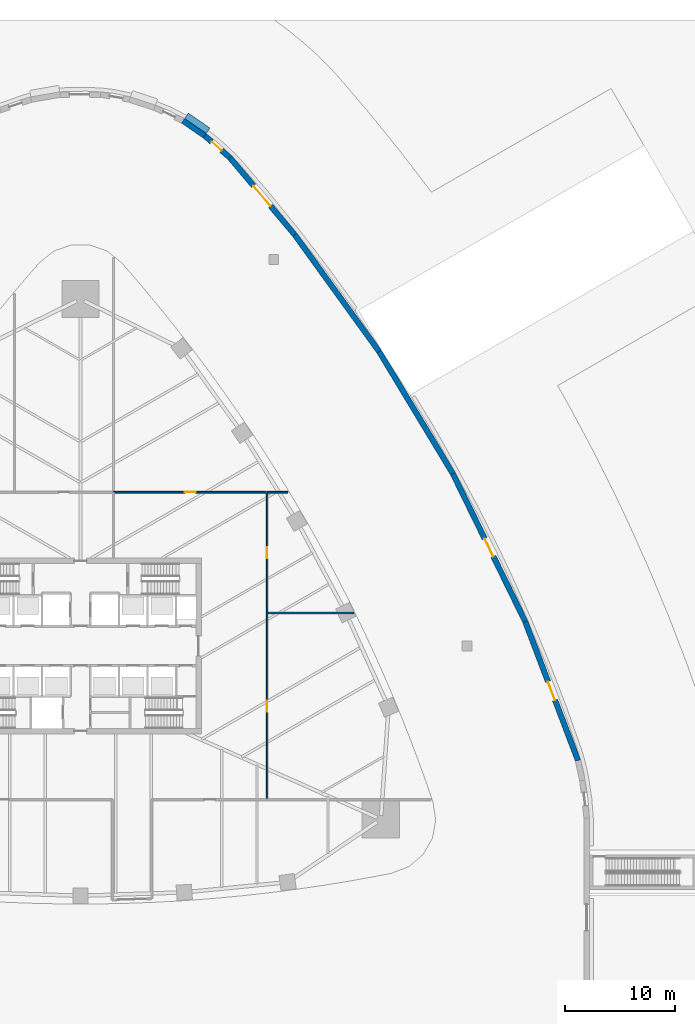
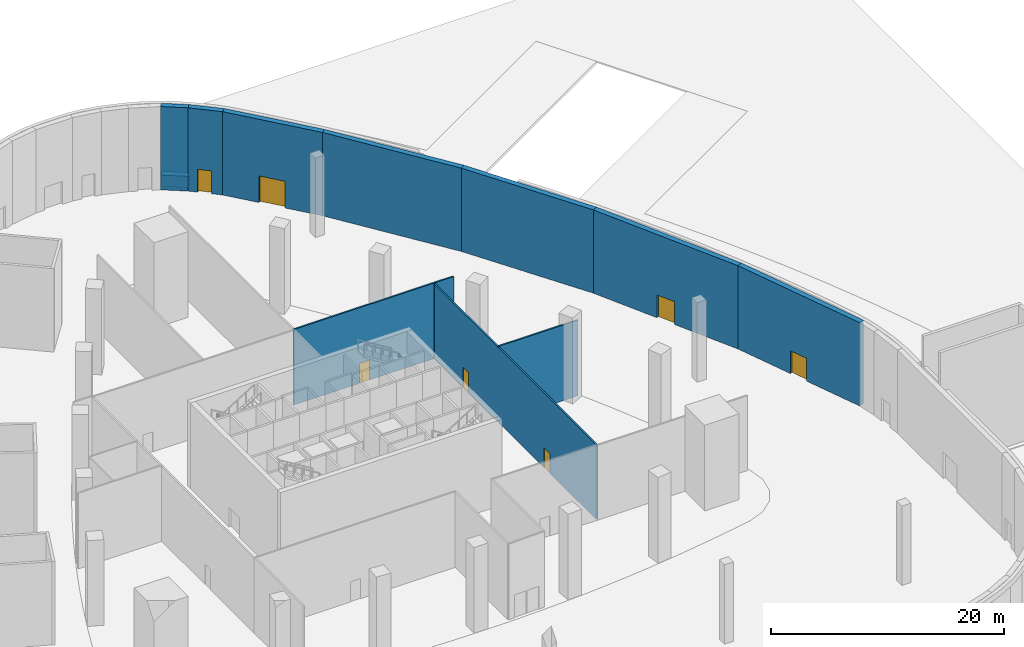
# One storey, part 14 of 29: 12 walls, 7 doors, 7 openings.
"""IFC4 building model written with IfcOpenShell, lengths in metres."""

from ifc_helpers import new_model, si_unit, direction, frame, frame_2d, origin, place, context, subcontext, project, spatial, rectangle, extrude, material, layer, layer_set, type_object, element, fill, save


model = new_model("IFC4")

# Units and contexts
model_context = context("Model", 3, precision=1e-05, world=origin(), true_north=direction((0.0, 1.0)))
body_context = subcontext(model_context, "Body", "Model", "MODEL_VIEW")
ifc_project = project(units=[si_unit("LENGTHUNIT", "METRE"), si_unit("AREAUNIT", "SQUARE_METRE"), si_unit("VOLUMEUNIT", "CUBIC_METRE"), si_unit("PLANEANGLEUNIT", "RADIAN"), si_unit("MASSUNIT", "GRAM", prefix="KILO")], contexts=[model_context])

# Site, building, storey
site_placement = place(None, origin())
site = spatial("IfcSite", under=ifc_project, at=site_placement, CompositionType="ELEMENT")
building_placement = place(site_placement, origin())
building = spatial("IfcBuilding", under=site, at=building_placement, Name="Sierra Prisma Convention Tower", CompositionType="ELEMENT")
storey_placement = place(building_placement, origin())
storey = spatial("IfcBuildingStorey", under=building, at=storey_placement, Name="L00", CompositionType="ELEMENT", Elevation=0.0)

# Wall, opening, door
ifc_material_1 = material(Name="Gypsum board partition", Category="gypsum")
ifc_layer_1 = layer(ifc_material_1, 0.14990234375)
ifc_layer_set_1 = layer_set([ifc_layer_1], Name="Corridor wall 150 gypsum EI 60")
wall_type_1 = type_object("IfcWallType", Name="Corridor wall 150 gypsum EI 60", PredefinedType="PARTITIONING", material=ifc_layer_set_1)
wall_1_placement = place(storey_placement, frame((16.919921875, 14.0, 0.0), z_axis=(0.0, 0.0, 1.0), x_axis=(-1.0, 0.0, 0.0)))
wall_1 = element("IfcWall", 1, at=wall_1_placement, inside=storey, type_object=wall_type_1, Name="Partition L00 corr 7", PredefinedType="PARTITIONING", context=body_context, shape_type="SweptSolid", body=[
    extrude(rectangle(XDim=13.9189453125, YDim=0.14990234375, at=frame_2d((6.95947265625, 0.0))), origin(), (0.0, 0.0, 1.0), 7.93994140625),
])
opening_1_placement = place(wall_1_placement, frame((6.409423828125, 0.0, 0.0)))
opening_1 = element("IfcOpeningElement", 2, at=opening_1_placement, cuts=wall_1, Name="Opening L00-D027", PredefinedType="OPENING", context=body_context, shape_type="SweptSolid", body=[
    extrude(rectangle(XDim=1.0, YDim=2.10009765625, at=frame_2d((0.5, 1.050048828125))), frame((0.0, 0.074951171875, 0.0), z_axis=(0.0, -1.0, 0.0), x_axis=(1.0, 0.0, 0.0)), (0.0, 0.0, 1.0), 0.14990234375),
])
ifc_material_2 = material(Name="Steel fire door leaf", Category="steel")
door_type_1 = type_object("IfcDoorType", Name="Door 1000x2100 FD30S", OperationType="SINGLE_SWING_LEFT", PredefinedType="DOOR", material=ifc_material_2)
door_1_placement = place(opening_1_placement, origin())
door_1 = element("IfcDoor", 3, at=door_1_placement, inside=storey, type_object=door_type_1, Name="Door L00 2", OperationType="SINGLE_SWING_LEFT", OverallHeight=2.10009765625, OverallWidth=1.0, PredefinedType="DOOR", context=body_context, shape_type="SweptSolid", body=[
    extrude(rectangle(XDim=1.0, YDim=2.10009765625, at=frame_2d((0.5, 1.050048828125))), frame((0.0, 0.02490234375, 0.0), z_axis=(0.0, -1.0, 0.0), x_axis=(1.0, 0.0, 0.0)), (0.0, 0.0, 1.0), 0.050048828125),
])
fill(opening_1, door_1)

# Wall, openings, doors
wall_2_placement = place(storey_placement, frame((17.0, -13.919921875, 0.0), z_axis=(0.0, 0.0, 1.0), x_axis=(0.0, 1.0, 0.0)))
wall_2 = element("IfcWall", 4, at=wall_2_placement, inside=storey, type_object=wall_type_1, Name="Partition L00 corr 10", PredefinedType="PARTITIONING", context=body_context, shape_type="SweptSolid", body=[
    extrude(rectangle(XDim=27.83984375, YDim=0.14990234375, at=frame_2d((13.919921875, 0.0))), origin(), (0.0, 0.0, 1.0), 7.846923828125),
])
opening_2_placement = place(wall_2_placement, frame((21.919921875, 0.0, 0.0)))
opening_2 = element("IfcOpeningElement", 5, at=opening_2_placement, cuts=wall_2, Name="Opening L00-D026", PredefinedType="OPENING", context=body_context, shape_type="SweptSolid", body=[
    extrude(rectangle(XDim=1.0, YDim=2.10009765625, at=frame_2d((0.5, 1.050048828125))), frame((0.0, 0.074951171875, 0.0), z_axis=(0.0, -1.0, 0.0), x_axis=(1.0, 0.0, 0.0)), (0.0, 0.0, 1.0), 0.14990234375),
])
opening_3_placement = place(wall_2_placement, frame((7.919921875, 0.0, 0.0)))
opening_3 = element("IfcOpeningElement", 6, at=opening_3_placement, cuts=wall_2, Name="Opening L00-D035", PredefinedType="OPENING", context=body_context, shape_type="SweptSolid", body=[
    extrude(rectangle(XDim=1.0, YDim=2.10009765625, at=frame_2d((0.5, 1.050048828125))), frame((0.0, 0.074951171875, 0.0), z_axis=(0.0, -1.0, 0.0), x_axis=(1.0, 0.0, 0.0)), (0.0, 0.0, 1.0), 0.14990234375),
])
door_2_placement = place(opening_2_placement, origin())
door_2 = element("IfcDoor", 7, at=door_2_placement, inside=storey, type_object=door_type_1, Name="Door L00 1", OperationType="SINGLE_SWING_RIGHT", OverallHeight=2.10009765625, OverallWidth=1.0, PredefinedType="DOOR", context=body_context, shape_type="SweptSolid", body=[
    extrude(rectangle(XDim=1.0, YDim=2.10009765625, at=frame_2d((0.5, 1.050048828125))), frame((0.0, 0.02490234375, 0.0), z_axis=(0.0, -1.0, 0.0), x_axis=(1.0, 0.0, 0.0)), (0.0, 0.0, 1.0), 0.050048828125),
])
fill(opening_2, door_2)
door_3_placement = place(opening_3_placement, origin())
door_3 = element("IfcDoor", 8, at=door_3_placement, inside=storey, type_object=door_type_1, Name="Door L00 10", OperationType="SINGLE_SWING_RIGHT", OverallHeight=2.10009765625, OverallWidth=1.0, PredefinedType="DOOR", context=body_context, shape_type="SweptSolid", body=[
    extrude(rectangle(XDim=1.0, YDim=2.10009765625, at=frame_2d((0.5, 1.050048828125))), frame((0.0, 0.02490234375, 0.0), z_axis=(0.0, -1.0, 0.0), x_axis=(1.0, 0.0, 0.0)), (0.0, 0.0, 1.0), 0.050048828125),
])
fill(opening_3, door_3)

# Wall, opening, door
ifc_material_3 = material(Name="Concrete C40/50, ochre plaster finish", Category="concrete")
ifc_layer_2 = layer(ifc_material_3, 0.5)
ifc_layer_set_2 = layer_set([ifc_layer_2], Name="Ochre plastered wall 500")
wall_type_2 = type_object("IfcWallType", Name="Ochre plastered wall 500", PredefinedType="STANDARD", material=ifc_layer_set_2)
wall_3_placement = place(storey_placement, frame((33.907958984375, 15.697509765625, 0.0), z_axis=(0.0, 0.0, 1.0), x_axis=(0.439457892001, -0.898263191474, 0.0)))
wall_3 = element("IfcWall", 9, at=wall_3_placement, inside=storey, type_object=wall_type_2, Name="Plinth wall 26", PredefinedType="STANDARD", context=body_context, shape_type="SweptSolid", body=[
    extrude(rectangle(XDim=15.003662109375, YDim=0.5, at=frame_2d((7.501953125, 0.0))), origin(), (0.0, 0.0, 1.0), 8.75),
])
opening_4_placement = place(wall_3_placement, frame((6.60009765625, 0.0, 0.0)))
opening_4 = element("IfcOpeningElement", 10, at=opening_4_placement, cuts=wall_3, Name="Opening L00-D051", PredefinedType="OPENING", context=body_context, shape_type="SweptSolid", body=[
    extrude(rectangle(XDim=1.800048828125, YDim=2.39990234375, at=frame_2d((0.89990234375, 1.199951171875))), frame((0.0, 0.25, 0.0), z_axis=(0.0, -1.0, 0.0), x_axis=(1.0, 0.0, 0.0)), (0.0, 0.0, 1.0), 0.5),
])
ifc_material_4 = material(Name="Painted steel, fire resisting", Category="steel")
door_type_2 = type_object("IfcDoorType", Name="Exit door double 1800 x 2400", OperationType="DOUBLE_DOOR_SINGLE_SWING", PredefinedType="DOOR", material=ifc_material_4)
door_4_placement = place(opening_4_placement, origin())
door_4 = element("IfcDoor", 11, at=door_4_placement, inside=storey, type_object=door_type_2, Name="Pedestrian exit door", OperationType="DOUBLE_DOOR_SINGLE_SWING", OverallHeight=2.39990234375, OverallWidth=1.800048828125, PredefinedType="DOOR", context=body_context, shape_type="SweptSolid", body=[
    extrude(rectangle(XDim=1.800048828125, YDim=2.39990234375, at=frame_2d((0.89990234375, 1.199951171875))), frame((0.0, 0.02490234375, 0.0), z_axis=(0.0, -1.0, 0.0), x_axis=(1.0, 0.0, 0.0)), (0.0, 0.0, 1.0), 0.050048828125),
])
fill(opening_4, door_4)

# Wall
wall_4_placement = place(storey_placement, frame((19.51318359375, 37.439208984375, 0.0), z_axis=(0.0, 0.0, 1.0), x_axis=(0.585795123704, -0.810459174199, 0.0)))
element("IfcWall", 12, at=wall_4_placement, inside=storey, type_object=wall_type_2, Name="Plinth wall 28", PredefinedType="STANDARD", context=body_context, shape_type="SweptSolid", body=[
    extrude(rectangle(XDim=13.10986328125, YDim=0.5, at=frame_2d((6.554931640625, 0.0))), origin(), (0.0, 0.0, 1.0), 8.75),
])

# Wall, opening, door
wall_5_placement = place(storey_placement, frame((11.31103515625, 46.4609375, 0.0), z_axis=(0.0, 0.0, 1.0), x_axis=(0.75405729919, -0.656808639969, 0.0)))
wall_5 = element("IfcWall", 13, at=wall_5_placement, inside=storey, type_object=wall_type_2, Name="Plinth wall 30", PredefinedType="STANDARD", context=body_context, shape_type="SweptSolid", body=[
    extrude(rectangle(XDim=3.05029296875, YDim=0.5, at=frame_2d((1.525146484375, 0.0))), origin(), (0.0, 0.0, 1.0), 8.75),
])
opening_5_placement = place(wall_5_placement, frame((0.85009765625, 0.0, 0.0)))
opening_5 = element("IfcOpeningElement", 14, at=opening_5_placement, cuts=wall_5, Name="Opening L00-D059", PredefinedType="OPENING", context=body_context, shape_type="SweptSolid", body=[
    extrude(rectangle(XDim=1.199951171875, YDim=2.39990234375, at=frame_2d((0.60009765625, 1.199951171875))), frame((0.0, 0.25, 0.0), z_axis=(0.0, -1.0, 0.0), x_axis=(1.0, 0.0, 0.0)), (0.0, 0.0, 1.0), 0.5),
])
ifc_material_5 = material(Name="Painted steel, fire resisting", Category="steel")
door_type_3 = type_object("IfcDoorType", Name="Pedestrian exit door 1200 x 2400", OperationType="SINGLE_SWING_LEFT", PredefinedType="DOOR", material=ifc_material_5)
door_5_placement = place(opening_5_placement, origin())
door_5 = element("IfcDoor", 15, at=door_5_placement, inside=storey, type_object=door_type_3, Name="Pedestrian exit door", OperationType="SINGLE_SWING_RIGHT", OverallHeight=2.39990234375, OverallWidth=1.199951171875, PredefinedType="DOOR", context=body_context, shape_type="SweptSolid", body=[
    extrude(rectangle(XDim=1.199951171875, YDim=2.39990234375, at=frame_2d((0.60009765625, 1.199951171875))), frame((0.0, 0.02490234375, 0.0), z_axis=(0.0, -1.0, 0.0), x_axis=(1.0, 0.0, 0.0)), (0.0, 0.0, 1.0), 0.050048828125),
])
fill(opening_5, door_5)

# Walls
ifc_material_6 = material(Name="Gypsum board partition", Category="gypsum")
ifc_layer_3 = layer(ifc_material_6, 0.14990234375)
ifc_layer_set_3 = layer_set([ifc_layer_3], Name="Party wall 150 gypsum")
wall_type_3 = type_object("IfcWallType", Name="Party wall 150 gypsum", PredefinedType="PARTITIONING", material=ifc_layer_set_3)
wall_6_placement = place(storey_placement, frame((17.0, 3.0, 0.0), z_axis=(0.0, 0.0, 1.0), x_axis=(1.0, 0.0, 0.0)))
element("IfcWall", 16, at=wall_6_placement, inside=storey, type_object=wall_type_3, Name="Partition L00 party 7", PredefinedType="PARTITIONING", context=body_context, shape_type="SweptSolid", body=[
    extrude(rectangle(XDim=7.873779296875, YDim=0.14990234375, at=frame_2d((3.93701171875, 0.0))), origin(), (0.0, 0.0, 1.0), 7.93994140625),
])
wall_7_placement = place(storey_placement, frame((18.88330078125, 14.0, 0.0), z_axis=(0.0, 0.0, 1.0), x_axis=(-1.0, 0.0, 0.0)))
element("IfcWall", 17, at=wall_7_placement, inside=storey, type_object=wall_type_3, Name="Partition L00 party 8", PredefinedType="PARTITIONING", context=body_context, shape_type="SweptSolid", body=[
    extrude(rectangle(XDim=1.88330078125, YDim=0.14990234375, at=frame_2d((0.941650390625, 0.0))), origin(), (0.0, 0.0, 1.0), 7.93994140625),
])
ifc_material_7 = material(Name="Concrete C40/50, bush-hammered finish", Category="concrete")
ifc_layer_4 = layer(ifc_material_7, 0.60009765625)
ifc_layer_set_4 = layer_set([ifc_layer_4], Name="Plinth base course 600")
wall_type_4 = type_object("IfcWallType", Name="Plinth base course 600", PredefinedType="STANDARD", material=ifc_layer_set_4)
wall_8_placement = place(storey_placement, frame((11.623291015625, 46.913818359375, 0.0), z_axis=(0.0, 0.0, 1.0), x_axis=(-0.823286618334, 0.567625883899, 0.0)))
element("IfcWall", 18, at=wall_8_placement, inside=storey, type_object=wall_type_4, Name="Plinth base course 11", PredefinedType="STANDARD", context=body_context, shape_type="SweptSolid", body=[
    extrude(rectangle(XDim=2.39794921875, YDim=0.60009765625, at=frame_2d((1.198974609375, 0.0))), origin(), (0.0, 0.0, 1.0), 1.199951171875),
])

# Wall, opening, door
ifc_material_8 = material(Name="Concrete C40/50, rose plaster finish", Category="concrete")
ifc_layer_5 = layer(ifc_material_8, 0.5)
ifc_layer_set_5 = layer_set([ifc_layer_5], Name="Rose plastered wall 500")
wall_type_5 = type_object("IfcWallType", Name="Rose plastered wall 500", PredefinedType="STANDARD", material=ifc_layer_set_5)
wall_9_placement = place(storey_placement, frame((40.50146484375, 2.22021484375, 0.0), z_axis=(0.0, 0.0, 1.0), x_axis=(0.354836826863, -0.934928246606, 0.0)))
wall_9 = element("IfcWall", 19, at=wall_9_placement, inside=storey, type_object=wall_type_5, Name="Plinth wall 25", PredefinedType="STANDARD", context=body_context, shape_type="SweptSolid", body=[
    extrude(rectangle(XDim=13.542724609375, YDim=0.5, at=frame_2d((6.771484375, 0.0))), origin(), (0.0, 0.0, 1.0), 8.75),
])
opening_6_placement = place(wall_9_placement, frame((5.85009765625, 0.0, 0.0)))
opening_6 = element("IfcOpeningElement", 20, at=opening_6_placement, cuts=wall_9, Name="Opening L00-D050", PredefinedType="OPENING", context=body_context, shape_type="SweptSolid", body=[
    extrude(rectangle(XDim=1.800048828125, YDim=2.39990234375, at=frame_2d((0.89990234375, 1.199951171875))), frame((0.0, 0.25, 0.0), z_axis=(0.0, -1.0, 0.0), x_axis=(1.0, 0.0, 0.0)), (0.0, 0.0, 1.0), 0.5),
])
door_6_placement = place(opening_6_placement, origin())
door_6 = element("IfcDoor", 21, at=door_6_placement, inside=storey, type_object=door_type_2, Name="Pedestrian exit door", OperationType="DOUBLE_DOOR_SINGLE_SWING", OverallHeight=2.39990234375, OverallWidth=1.800048828125, PredefinedType="DOOR", context=body_context, shape_type="SweptSolid", body=[
    extrude(rectangle(XDim=1.800048828125, YDim=2.39990234375, at=frame_2d((0.89990234375, 1.199951171875))), frame((0.0, 0.02490234375, 0.0), z_axis=(0.0, -1.0, 0.0), x_axis=(1.0, 0.0, 0.0)), (0.0, 0.0, 1.0), 0.050048828125),
])
fill(opening_6, door_6)

# Wall
wall_10_placement = place(storey_placement, frame((27.19287109375, 26.814208984375, 0.0), z_axis=(0.0, 0.0, 1.0), x_axis=(0.517045059665, -0.855958180214, 0.0)))
element("IfcWall", 22, at=wall_10_placement, inside=storey, type_object=wall_type_5, Name="Plinth wall 27", PredefinedType="STANDARD", context=body_context, shape_type="SweptSolid", body=[
    extrude(rectangle(XDim=12.987548828125, YDim=0.5, at=frame_2d((6.49365234375, 0.0))), origin(), (0.0, 0.0, 1.0), 8.75),
])

# Wall, opening, door
wall_11_placement = place(storey_placement, frame((13.611083984375, 44.45751953125, 0.0), z_axis=(0.0, 0.0, 1.0), x_axis=(0.643621556587, -0.765343904331, 0.0)))
wall_11 = element("IfcWall", 23, at=wall_11_placement, inside=storey, type_object=wall_type_5, Name="Plinth wall 29", PredefinedType="STANDARD", context=body_context, shape_type="SweptSolid", body=[
    extrude(rectangle(XDim=9.170166015625, YDim=0.5, at=frame_2d((4.5849609375, 0.0))), origin(), (0.0, 0.0, 1.0), 8.75),
])
opening_7_placement = place(wall_11_placement, frame((3.35009765625, 0.0, 0.0)))
opening_7 = element("IfcOpeningElement", 24, at=opening_7_placement, cuts=wall_11, Name="Opening L00-D043", PredefinedType="OPENING", context=body_context, shape_type="SweptSolid", body=[
    extrude(rectangle(XDim=2.39990234375, YDim=2.800048828125, at=frame_2d((1.199951171875, 1.39990234375))), frame((0.0, 0.25, 0.0), z_axis=(0.0, -1.0, 0.0), x_axis=(1.0, 0.0, 0.0)), (0.0, 0.0, 1.0), 0.5),
])
ifc_material_9 = material(Name="Glass and bronze aluminium", Category="aluminium")
door_type_4 = type_object("IfcDoorType", Name="Entrance door double 2400 x 2800", OperationType="DOUBLE_DOOR_SINGLE_SWING", PredefinedType="DOOR", material=ifc_material_9)
door_7_placement = place(opening_7_placement, origin())
door_7 = element("IfcDoor", 25, at=door_7_placement, inside=storey, type_object=door_type_4, Name="Pedestrian exit door at the entrance", OperationType="DOUBLE_DOOR_SINGLE_SWING", OverallHeight=2.800048828125, OverallWidth=2.39990234375, PredefinedType="DOOR", context=body_context, shape_type="SweptSolid", body=[
    extrude(rectangle(XDim=2.39990234375, YDim=2.800048828125, at=frame_2d((1.199951171875, 1.39990234375))), frame((0.0, 0.02490234375, 0.0), z_axis=(0.0, -1.0, 0.0), x_axis=(1.0, 0.0, 0.0)), (0.0, 0.0, 1.0), 0.050048828125),
])
fill(opening_7, door_7)

# Wall
wall_12_placement = place(storey_placement, frame((9.3369140625, 47.822021484375, 0.0), z_axis=(0.0, 0.0, 1.0), x_axis=(0.823286618334, -0.567625883899, 0.0)))
element("IfcWall", 26, at=wall_12_placement, inside=storey, type_object=wall_type_5, Name="Plinth wall 31", PredefinedType="STANDARD", context=body_context, shape_type="SweptSolid", body=[
    extrude(rectangle(XDim=2.39794921875, YDim=0.5, at=frame_2d((1.198974609375, 0.0))), origin(), (0.0, 0.0, 1.0), 8.75),
])

save(model, "model.ifc")
